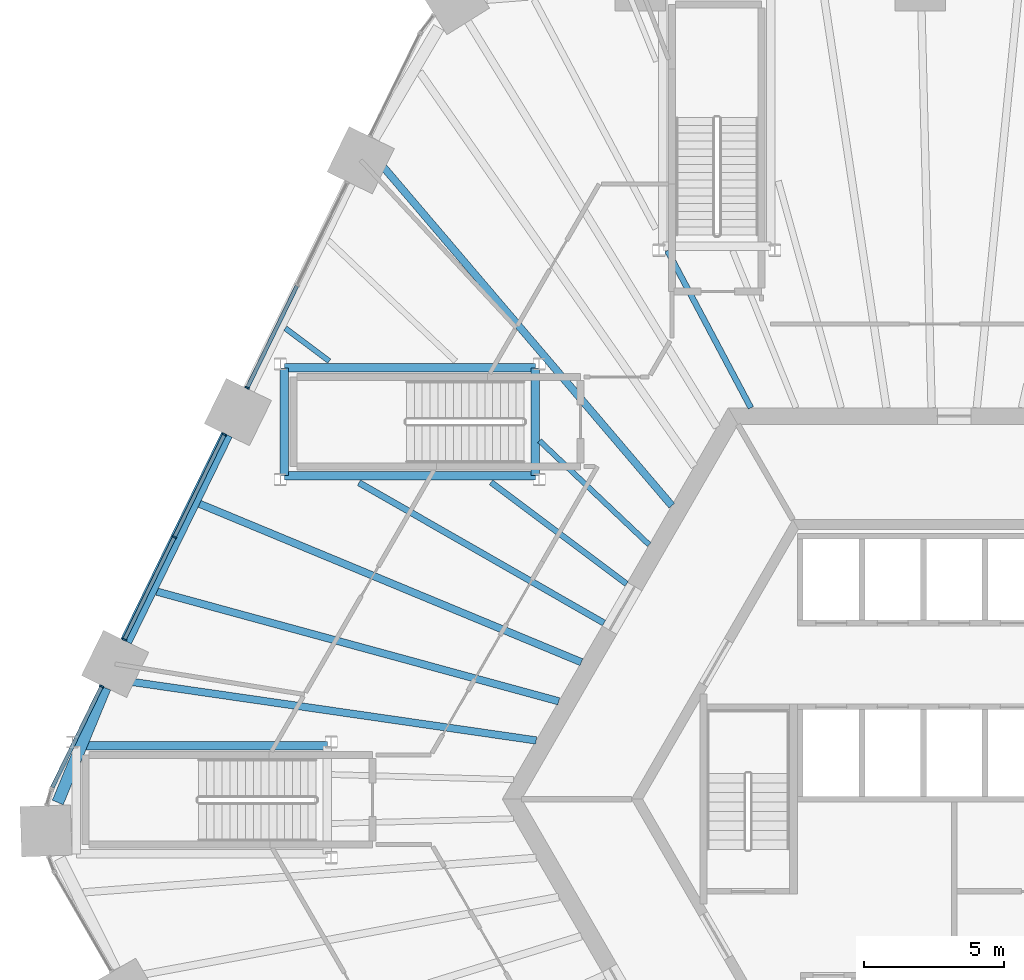
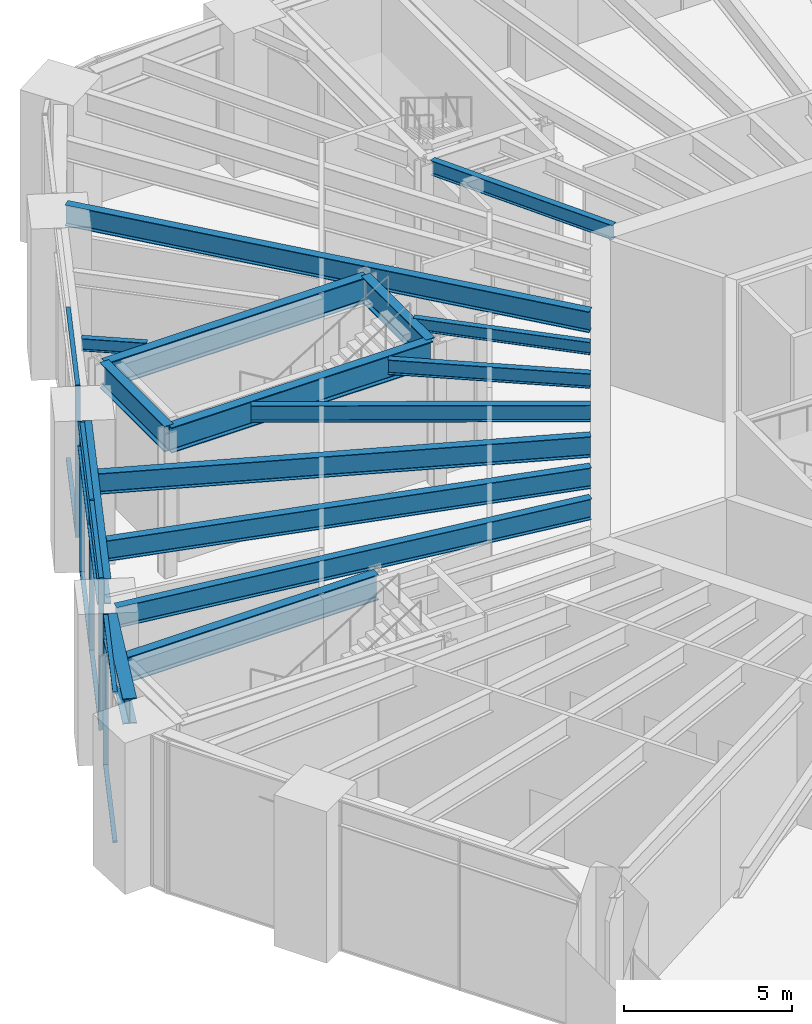
# One storey, part 7 of 30: 16 beams, 13 members, 3 elements without a shape of their own.
"""IFC4 building model written with IfcOpenShell, lengths in metres."""

from ifc_helpers import new_model, si_unit, direction, frame, origin, origin_2d, place, context, subcontext, project, spatial, rectangle, i_section, extrude, material, material_profile, profile_set, type_object, element, aggregate, save


model = new_model("IFC4")

# Units and contexts
model_context = context("Model", 3, precision=1e-05, world=origin(), true_north=direction((0.0, 1.0)))
body_context = subcontext(model_context, "Body", "Model", "MODEL_VIEW")
ifc_project = project(units=[si_unit("LENGTHUNIT", "METRE"), si_unit("AREAUNIT", "SQUARE_METRE"), si_unit("VOLUMEUNIT", "CUBIC_METRE"), si_unit("PLANEANGLEUNIT", "RADIAN"), si_unit("MASSUNIT", "GRAM", prefix="KILO")], contexts=[model_context])

# Site, building, storey
site_placement = place(None, origin())
site = spatial("IfcSite", under=ifc_project, at=site_placement, CompositionType="ELEMENT")
building_placement = place(site_placement, origin())
building = spatial("IfcBuilding", under=site, at=building_placement, Name="Tarnside Tower", CompositionType="ELEMENT")
storey_placement = place(building_placement, frame((0.0, 0.0, 20.5)))
storey = spatial("IfcBuildingStorey", under=building, at=storey_placement, Name="L03", CompositionType="ELEMENT", Elevation=20.5)

# Beams
ifc_material_1 = material(Name="Steel S355", Category="steel")
ifc_material_profile_1 = material_profile(ifc_material_1, i_section(OverallWidth=0.18994140625, OverallDepth=0.453369140625, WebThickness=0.008544921875, FlangeThickness=0.0126953125, FilletRadius=0.01025390625, at=origin_2d()), Name="UB 457x191x67")
ifc_profile_set_1 = profile_set([ifc_material_profile_1], Name="Steel S355")
beam_type_1 = type_object("IfcBeamType", Name="Floor beam UB 457x191x67", PredefinedType="BEAM", material=ifc_profile_set_1)
beam_1_placement = place(storey_placement, frame((-14.832275390625, 12.8173828125, 5.023193359375), z_axis=(0.725655749818, -0.688057942877, 0.0), x_axis=(0.688057942877, 0.725655749818, 0.0)))
element("IfcBeam", 1, at=beam_1_placement, inside=storey, type_object=beam_type_1, Name="Floor beam F2.03b", PredefinedType="BEAM", context=body_context, shape_type="SweptSolid", body=[
    extrude(i_section(OverallWidth=0.18994140625, OverallDepth=0.453369140625, WebThickness=0.008544921875, FlangeThickness=0.0126953125, FilletRadius=0.01025390625, at=origin_2d()), origin(), (0.0, 0.0, 1.0), 5.402587890625),
])
beam_2_placement = place(storey_placement, frame((-23.927001953125, 16.844970703125, 5.023193359375), z_axis=(0.80026824962, -0.599642167171, 0.0), x_axis=(0.599642167171, 0.80026824962, 0.0)))
element("IfcBeam", 2, at=beam_2_placement, inside=storey, type_object=beam_type_1, Name="Floor beam F2.04a", PredefinedType="BEAM", context=body_context, shape_type="SweptSolid", body=[
    extrude(i_section(OverallWidth=0.18994140625, OverallDepth=0.453369140625, WebThickness=0.008544921875, FlangeThickness=0.0126953125, FilletRadius=0.01025390625, at=origin_2d()), origin(), (0.0, 0.0, 1.0), 1.96533203125),
])
ifc_material_profile_2 = material_profile(ifc_material_1, i_section(OverallWidth=0.209228515625, OverallDepth=0.533203125, WebThickness=0.010009765625, FlangeThickness=0.015625, FilletRadius=0.0126953125, at=origin_2d()), Name="UB 533x210x92")
ifc_profile_set_2 = profile_set([ifc_material_profile_2], Name="Steel S355")
beam_type_2 = type_object("IfcBeamType", Name="Floor beam UB 533x210x92", PredefinedType="BEAM", material=ifc_profile_set_2)
beam_3_placement = place(storey_placement, frame((-10.26171875, 19.622314453125, 4.9833984375), z_axis=(0.469180459704, -0.88310231357, 0.0), x_axis=(0.88310231357, 0.469180459704, 0.0)))
element("IfcBeam", 3, at=beam_3_placement, inside=storey, type_object=beam_type_2, Name="Floor beam F1.09b", PredefinedType="BEAM", context=body_context, shape_type="SweptSolid", body=[
    extrude(i_section(OverallWidth=0.209228515625, OverallDepth=0.533203125, WebThickness=0.010009765625, FlangeThickness=0.015625, FilletRadius=0.0126953125, at=origin_2d()), origin(), (0.0, 0.0, 1.0), 6.366455078125),
])
beam_4_placement = place(storey_placement, frame((-16.570068359375, 11.33349609375, 4.9833984375), z_axis=(0.800304467872, -0.599593828107, 0.0), x_axis=(0.599593828107, 0.800304467872, 0.0)))
element("IfcBeam", 4, at=beam_4_placement, inside=storey, type_object=beam_type_2, Name="Floor beam F2.04b", PredefinedType="BEAM", context=body_context, shape_type="SweptSolid", body=[
    extrude(i_section(OverallWidth=0.209228515625, OverallDepth=0.533203125, WebThickness=0.010009765625, FlangeThickness=0.015625, FilletRadius=0.0126953125, at=origin_2d()), origin(), (0.0, 0.0, 1.0), 6.06005859375),
])
ifc_material_profile_3 = material_profile(ifc_material_1, i_section(OverallWidth=0.228271484375, OverallDepth=0.607666015625, WebThickness=0.010986328125, FlangeThickness=0.017333984375, FilletRadius=0.0126953125, at=origin_2d()), Name="UB 610x229x113")
ifc_profile_set_3 = profile_set([ifc_material_profile_3], Name="Steel S355")
beam_type_3 = type_object("IfcBeamType", Name="Floor beam UB 610x229x113", PredefinedType="BEAM", material=ifc_profile_set_3)
beam_5_placement = place(storey_placement, frame((-21.293212890625, 11.31787109375, 4.9462890625), z_axis=(0.867839710753, -0.496844277858, 0.0), x_axis=(0.496844277858, 0.867839710753, 0.0)))
element("IfcBeam", 5, at=beam_5_placement, inside=storey, type_object=beam_type_3, Name="Floor beam F2.05b", PredefinedType="BEAM", context=body_context, shape_type="SweptSolid", body=[
    extrude(i_section(OverallWidth=0.228271484375, OverallDepth=0.607666015625, WebThickness=0.010986328125, FlangeThickness=0.017333984375, FilletRadius=0.0126953125, at=origin_2d()), origin(), (0.0, 0.0, 1.0), 10.099365234375),
])
ifc_material_profile_4 = material_profile(ifc_material_1, i_section(OverallWidth=0.26513671875, OverallDepth=0.75390625, WebThickness=0.0126953125, FlangeThickness=0.017578125, FilletRadius=0.0166015625, at=origin_2d()), Name="UB 762x267x147")
ifc_profile_set_4 = profile_set([ifc_material_profile_4], Name="Steel S355")
beam_type_4 = type_object("IfcBeamType", Name="Floor beam UB 762x267x147", PredefinedType="BEAM", material=ifc_profile_set_4)
beam_6_placement = place(storey_placement, frame((-26.990966796875, 10.56298828125, 4.873046875), z_axis=(0.92370262903, -0.383110236254, 0.0), x_axis=(0.383110236254, 0.92370262903, 0.0)))
element("IfcBeam", 6, at=beam_6_placement, inside=storey, type_object=beam_type_4, Name="Floor beam F2.06", PredefinedType="BEAM", context=body_context, shape_type="SweptSolid", body=[
    extrude(i_section(OverallWidth=0.26513671875, OverallDepth=0.75390625, WebThickness=0.0126953125, FlangeThickness=0.017578125, FilletRadius=0.0166015625, at=origin_2d()), origin(), (0.0, 0.0, 1.0), 14.781982421875),
])
beam_7_placement = place(storey_placement, frame((-28.52197265625, 7.424072265625, 4.873046875), z_axis=(0.964711253144, -0.263310079673, 0.0), x_axis=(0.263310079673, 0.964711253144, 0.0)))
element("IfcBeam", 7, at=beam_7_placement, inside=storey, type_object=beam_type_4, Name="Floor beam F2.07", PredefinedType="BEAM", context=body_context, shape_type="SweptSolid", body=[
    extrude(i_section(OverallWidth=0.26513671875, OverallDepth=0.75390625, WebThickness=0.0126953125, FlangeThickness=0.017578125, FilletRadius=0.0166015625, at=origin_2d()), origin(), (0.0, 0.0, 1.0), 14.90283203125),
])
beam_8_placement = place(storey_placement, frame((-30.019775390625, 4.28173828125, 4.873046875), z_axis=(0.98967827479, -0.143307056383, 0.0), x_axis=(0.143307056383, 0.98967827479, 0.0)))
element("IfcBeam", 8, at=beam_8_placement, inside=storey, type_object=beam_type_4, Name="Floor beam F2.08", PredefinedType="BEAM", context=body_context, shape_type="SweptSolid", body=[
    extrude(i_section(OverallWidth=0.26513671875, OverallDepth=0.75390625, WebThickness=0.0126953125, FlangeThickness=0.017578125, FilletRadius=0.0166015625, at=origin_2d()), origin(), (0.0, 0.0, 1.0), 15.2236328125),
])
ifc_material_profile_5 = material_profile(ifc_material_1, i_section(OverallWidth=0.2666015625, OverallDepth=0.76220703125, WebThickness=0.014404296875, FlangeThickness=0.021484375, FilletRadius=0.0166015625, at=origin_2d()), Name="UB 762x267x173")
ifc_profile_set_5 = profile_set([ifc_material_profile_5], Name="Steel S355")
beam_type_5 = type_object("IfcBeamType", Name="Floor beam UB 762x267x173", PredefinedType="BEAM", material=ifc_profile_set_5)
beam_9_placement = place(storey_placement, frame((-20.838134765625, 23.10595703125, 4.868896484375), z_axis=(0.648333844013, -0.761356175983, 0.0), x_axis=(0.761356175983, 0.648333844013, 0.0)))
element("IfcBeam", 9, at=beam_9_placement, inside=storey, type_object=beam_type_5, Name="Floor beam F2.02", PredefinedType="BEAM", context=body_context, shape_type="SweptSolid", body=[
    extrude(i_section(OverallWidth=0.2666015625, OverallDepth=0.76220703125, WebThickness=0.014404296875, FlangeThickness=0.021484375, FilletRadius=0.0166015625, at=origin_2d()), origin(), (0.0, 0.0, 1.0), 16.55712890625),
])
ifc_material_profile_6 = material_profile(ifc_material_1, i_section(OverallWidth=0.3076171875, OverallDepth=0.926513671875, WebThickness=0.01953125, FlangeThickness=0.031982421875, FilletRadius=0.01904296875, at=origin_2d()), Name="UB 914x305x289")
ifc_profile_set_6 = profile_set([ifc_material_profile_6], Name="Steel S355")
beam_type_6 = type_object("IfcBeamType", Name="Perimeter girder UB 914x305x289", PredefinedType="BEAM", material=ifc_profile_set_6)
beam_10_placement = place(storey_placement, frame((-31.40380859375, 1.90380859375, 4.78662109375), z_axis=(1.0, 0.0, 0.0), x_axis=(0.0, 1.0, 0.0)))
element("IfcBeam", 10, at=beam_10_placement, inside=storey, type_object=beam_type_6, Name="Perimeter girder T6", PredefinedType="BEAM", context=body_context, shape_type="SweptSolid", body=[
    extrude(i_section(OverallWidth=0.3076171875, OverallDepth=0.926513671875, WebThickness=0.01953125, FlangeThickness=0.031982421875, FilletRadius=0.01904296875, at=origin_2d()), origin(), (0.0, 0.0, 1.0), 8.977783203125),
])
beam_11_placement = place(storey_placement, frame((-23.9638671875, 11.5712890625, 4.78662109375), z_axis=(0.0, 1.0, 0.0), x_axis=(-1.0, 0.0, 0.0)))
element("IfcBeam", 11, at=beam_11_placement, inside=storey, type_object=beam_type_6, Name="Perimeter girder T21", PredefinedType="BEAM", context=body_context, shape_type="SweptSolid", body=[
    extrude(i_section(OverallWidth=0.3076171875, OverallDepth=0.926513671875, WebThickness=0.01953125, FlangeThickness=0.031982421875, FilletRadius=0.01904296875, at=origin_2d()), origin(), (0.0, 0.0, 1.0), 3.857421875),
])
beam_12_placement = place(storey_placement, frame((-23.9638671875, 15.4287109375, 4.78662109375), z_axis=(1.0, 0.0, 0.0), x_axis=(0.0, 1.0, 0.0)))
element("IfcBeam", 12, at=beam_12_placement, inside=storey, type_object=beam_type_6, Name="Perimeter girder T22", PredefinedType="BEAM", context=body_context, shape_type="SweptSolid", body=[
    extrude(i_section(OverallWidth=0.3076171875, OverallDepth=0.926513671875, WebThickness=0.01953125, FlangeThickness=0.031982421875, FilletRadius=0.01904296875, at=origin_2d()), origin(), (0.0, 0.0, 1.0), 8.977783203125),
])
beam_13_placement = place(storey_placement, frame((-14.986083984375, 15.4287109375, 4.78662109375), z_axis=(0.0, -1.0, 0.0), x_axis=(1.0, 0.0, 0.0)))
element("IfcBeam", 13, at=beam_13_placement, inside=storey, type_object=beam_type_6, Name="Perimeter girder T23", PredefinedType="BEAM", context=body_context, shape_type="SweptSolid", body=[
    extrude(i_section(OverallWidth=0.3076171875, OverallDepth=0.926513671875, WebThickness=0.01953125, FlangeThickness=0.031982421875, FilletRadius=0.01904296875, at=origin_2d()), origin(), (0.0, 0.0, 1.0), 3.857421875),
])
beam_14_placement = place(storey_placement, frame((-14.986083984375, 11.5712890625, 4.78662109375), z_axis=(-1.0, 0.0, 0.0), x_axis=(0.0, -1.0, 0.0)))
element("IfcBeam", 14, at=beam_14_placement, inside=storey, type_object=beam_type_6, Name="Perimeter girder T24", PredefinedType="BEAM", context=body_context, shape_type="SweptSolid", body=[
    extrude(i_section(OverallWidth=0.3076171875, OverallDepth=0.926513671875, WebThickness=0.01953125, FlangeThickness=0.031982421875, FilletRadius=0.01904296875, at=origin_2d()), origin(), (0.0, 0.0, 1.0), 8.977783203125),
])
ifc_material_2 = material(Name="Steel S460", Category="steel")
ifc_material_profile_7 = material_profile(ifc_material_2, i_section(OverallWidth=0.42041015625, OverallDepth=0.9208984375, WebThickness=0.021484375, FlangeThickness=0.03662109375, FilletRadius=0.024169921875, at=origin_2d()), Name="UB 914x419x388")
ifc_profile_set_7 = profile_set([ifc_material_profile_7], Name="Steel S460")
beam_type_7 = type_object("IfcBeamType", Name="Perimeter girder UB 914x419x388", PredefinedType="BEAM", material=ifc_profile_set_7)
beam_15_placement = place(storey_placement, frame((-26.0185546875, 13.0361328125, 4.78955078125), z_axis=(-0.438368649743, -0.898795264186, 0.0), x_axis=(0.898795264186, -0.438368649743, 0.0)))
element("IfcBeam", 15, at=beam_15_placement, inside=storey, type_object=beam_type_7, Name="Perimeter girder M06", PredefinedType="BEAM", context=body_context, shape_type="SweptSolid", body=[
    extrude(i_section(OverallWidth=0.42041015625, OverallDepth=0.9208984375, WebThickness=0.021484375, FlangeThickness=0.03662109375, FilletRadius=0.024169921875, at=origin_2d()), origin(), (0.0, 0.0, 1.0), 8.2236328125),
])
beam_16_placement = place(storey_placement, frame((-30.36962890625, 3.985595703125, 4.78955078125), z_axis=(-0.381974575495, -0.924172832145, 0.0), x_axis=(0.924172832145, -0.381974575495, 0.0)))
element("IfcBeam", 16, at=beam_16_placement, inside=storey, type_object=beam_type_7, Name="Perimeter girder M07", PredefinedType="BEAM", context=body_context, shape_type="SweptSolid", body=[
    extrude(i_section(OverallWidth=0.42041015625, OverallDepth=0.9208984375, WebThickness=0.021484375, FlangeThickness=0.03662109375, FilletRadius=0.024169921875, at=origin_2d()), origin(), (0.0, 0.0, 1.0), 4.440185546875),
])

# Curtain wall, member
ifc_material_3 = material(Name="Retail shopfront glazing wall", Category="glass")
curtain_wall_type = type_object("IfcCurtainWallType", Name="Retail shopfront glazing wall", PredefinedType="NOTDEFINED", material=ifc_material_3)
curtain_wall_1_placement = place(storey_placement, origin())
curtain_wall_1 = element("IfcCurtainWall", 17, at=curtain_wall_1_placement, inside=storey, type_object=curtain_wall_type, Name="Retail shopfront glazing L03 04.0", PredefinedType="NOTDEFINED")
ifc_material_4 = material(Name="Aluminium alloy 6063", Category="aluminium")
ifc_material_profile_8 = material_profile(ifc_material_4, rectangle(XDim=0.159912109375, YDim=0.06005859375, at=origin_2d()), Name="Retail shopfront glazing mullion 60 x 160")
ifc_profile_set_8 = profile_set([ifc_material_profile_8], Name="Aluminium alloy 6063")
member_type_1 = type_object("IfcMemberType", Name="Retail shopfront glazing mullion 60 x 160", PredefinedType="MULLION", material=ifc_profile_set_8)
member_1_placement = place(storey_placement, frame((-25.288330078125, 14.716064453125, -0.25), z_axis=(0.0, 0.0, 1.0), x_axis=(0.898794046292, -0.438371146805, 0.0)))
member_1 = element("IfcMember", 18, at=member_1_placement, type_object=member_type_1, Name="CW2 mullion 3", PredefinedType="MULLION", context=body_context, shape_type="SweptSolid", body=[
    extrude(rectangle(XDim=0.159912109375, YDim=0.06005859375, at=origin_2d()), origin(), (0.0, 0.0, 1.0), 5.5),
])

# Curtain wall, members
curtain_wall_2_placement = place(storey_placement, origin())
curtain_wall_2 = element("IfcCurtainWall", 19, at=curtain_wall_2_placement, inside=storey, type_object=curtain_wall_type, Name="Retail shopfront glazing L03 05.0", PredefinedType="NOTDEFINED")
member_2_placement = place(storey_placement, frame((-26.103515625, 13.044189453125, -0.25), z_axis=(0.0, 0.0, 1.0), x_axis=(0.898794046292, -0.438371146805, 0.0)))
member_2 = element("IfcMember", 20, at=member_2_placement, type_object=member_type_1, Name="CW2 mullion 1", PredefinedType="MULLION", context=body_context, shape_type="SweptSolid", body=[
    extrude(rectangle(XDim=0.159912109375, YDim=0.06005859375, at=origin_2d()), origin(), (0.0, 0.0, 1.0), 5.5),
])
member_3_placement = place(storey_placement, frame((-27.89306640625, 9.37548828125, -0.25), z_axis=(0.0, 0.0, 1.0), x_axis=(0.898794046292, -0.438371146805, 0.0)))
member_3 = element("IfcMember", 21, at=member_3_placement, type_object=member_type_1, Name="CW2 mullion 2", PredefinedType="MULLION", context=body_context, shape_type="SweptSolid", body=[
    extrude(rectangle(XDim=0.159912109375, YDim=0.06005859375, at=origin_2d()), origin(), (0.0, 0.0, 1.0), 5.5),
])
member_4_placement = place(storey_placement, frame((-29.682373046875, 5.706787109375, -0.25), z_axis=(0.0, 0.0, 1.0), x_axis=(0.898794046292, -0.438371146805, 0.0)))
member_4 = element("IfcMember", 22, at=member_4_placement, type_object=member_type_1, Name="CW2 mullion 3", PredefinedType="MULLION", context=body_context, shape_type="SweptSolid", body=[
    extrude(rectangle(XDim=0.159912109375, YDim=0.06005859375, at=origin_2d()), origin(), (0.0, 0.0, 1.0), 5.5),
])

# Curtain wall, member
curtain_wall_3_placement = place(storey_placement, origin())
curtain_wall_3 = element("IfcCurtainWall", 23, at=curtain_wall_3_placement, inside=storey, type_object=curtain_wall_type, Name="Retail shopfront glazing L03 06.0", PredefinedType="NOTDEFINED")
member_5_placement = place(storey_placement, frame((-30.497802734375, 4.03515625, -0.25), z_axis=(0.0, 0.0, 1.0), x_axis=(0.898794046314, -0.438371146758, 0.0)))
member_5 = element("IfcMember", 24, at=member_5_placement, type_object=member_type_1, Name="CW2 mullion 1", PredefinedType="MULLION", context=body_context, shape_type="SweptSolid", body=[
    extrude(rectangle(XDim=0.159912109375, YDim=0.06005859375, at=origin_2d()), origin(), (0.0, 0.0, 1.0), 5.5),
])

# Member
ifc_material_profile_9 = material_profile(ifc_material_4, rectangle(XDim=0.139892578125, YDim=0.06005859375, at=origin_2d()), Name="Retail shopfront glazing transom 60 x 140")
ifc_profile_set_9 = profile_set([ifc_material_profile_9], Name="Aluminium alloy 6063")
member_type_2 = type_object("IfcMemberType", Name="Retail shopfront glazing transom 60 x 140", PredefinedType="USERDEFINED", material=ifc_profile_set_9)
member_6_placement = place(storey_placement, frame((-23.511962890625, 18.35791015625, -0.219970703125), z_axis=(-0.438378186386, -0.898790612824, 0.0), x_axis=(0.898790612824, -0.438378186386, 0.0)))
member_6 = element("IfcMember", 25, at=member_6_placement, type_object=member_type_2, Name="CW2 transom 2.1", ObjectType="TRANSOM", PredefinedType="USERDEFINED", context=body_context, shape_type="SweptSolid", body=[
    extrude(rectangle(XDim=0.139892578125, YDim=0.06005859375, at=origin_2d()), origin(), (0.0, 0.0, 1.0), 4.02197265625),
])

member_7_placement = place(storey_placement, frame((-23.511962890625, 18.35791015625, 5.219970703125), z_axis=(-0.438378186386, -0.898790612824, 0.0), x_axis=(0.898790612824, -0.438378186386, 0.0)))
member_7 = element("IfcMember", 26, at=member_7_placement, type_object=member_type_2, Name="CW2 transom 2.2", ObjectType="TRANSOM", PredefinedType="USERDEFINED", context=body_context, shape_type="SweptSolid", body=[
    extrude(rectangle(XDim=0.139892578125, YDim=0.06005859375, at=origin_2d()), origin(), (0.0, 0.0, 1.0), 4.02197265625),
])

aggregate(curtain_wall_1, [member_1, member_6, member_7])

member_8_placement = place(storey_placement, frame((-26.11669921875, 13.017333984375, -0.219970703125), z_axis=(-0.438402104107, -0.898778946747, 0.0), x_axis=(0.898778946747, -0.438402104107, 0.0)))
member_8 = element("IfcMember", 27, at=member_8_placement, type_object=member_type_2, Name="CW2 transom 1.1", ObjectType="TRANSOM", PredefinedType="USERDEFINED", context=body_context, shape_type="SweptSolid", body=[
    extrude(rectangle(XDim=0.139892578125, YDim=0.06005859375, at=origin_2d()), origin(), (0.0, 0.0, 1.0), 4.021728515625),
])

member_9_placement = place(storey_placement, frame((-26.11669921875, 13.017333984375, 5.219970703125), z_axis=(-0.438402104107, -0.898778946747, 0.0), x_axis=(0.898778946747, -0.438402104107, 0.0)))
member_9 = element("IfcMember", 28, at=member_9_placement, type_object=member_type_2, Name="CW2 transom 1.2", ObjectType="TRANSOM", PredefinedType="USERDEFINED", context=body_context, shape_type="SweptSolid", body=[
    extrude(rectangle(XDim=0.139892578125, YDim=0.06005859375, at=origin_2d()), origin(), (0.0, 0.0, 1.0), 4.021728515625),
])

member_10_placement = place(storey_placement, frame((-27.906005859375, 9.3486328125, -0.219970703125), z_axis=(-0.438402104107, -0.898778946747, 0.0), x_axis=(0.898778946747, -0.438402104107, 0.0)))
member_10 = element("IfcMember", 29, at=member_10_placement, type_object=member_type_2, Name="CW2 transom 2.1", ObjectType="TRANSOM", PredefinedType="USERDEFINED", context=body_context, shape_type="SweptSolid", body=[
    extrude(rectangle(XDim=0.139892578125, YDim=0.06005859375, at=origin_2d()), origin(), (0.0, 0.0, 1.0), 4.021728515625),
])

member_11_placement = place(storey_placement, frame((-27.906005859375, 9.3486328125, 5.219970703125), z_axis=(-0.438402104107, -0.898778946747, 0.0), x_axis=(0.898778946747, -0.438402104107, 0.0)))
member_11 = element("IfcMember", 30, at=member_11_placement, type_object=member_type_2, Name="CW2 transom 2.2", ObjectType="TRANSOM", PredefinedType="USERDEFINED", context=body_context, shape_type="SweptSolid", body=[
    extrude(rectangle(XDim=0.139892578125, YDim=0.06005859375, at=origin_2d()), origin(), (0.0, 0.0, 1.0), 4.021728515625),
])

aggregate(curtain_wall_2, [member_2, member_3, member_4, member_8, member_9, member_10, member_11])

member_12_placement = place(storey_placement, frame((-30.5107421875, 4.008056640625, -0.219970703125), z_axis=(-0.438385073172, -0.898787253815, 0.0), x_axis=(0.898787253815, -0.438385073172, 0.0)))
member_12 = element("IfcMember", 31, at=member_12_placement, type_object=member_type_2, Name="CW2 transom 1.1", ObjectType="TRANSOM", PredefinedType="USERDEFINED", context=body_context, shape_type="SweptSolid", body=[
    extrude(rectangle(XDim=0.139892578125, YDim=0.06005859375, at=origin_2d()), origin(), (0.0, 0.0, 1.0), 3.991943359375),
])

member_13_placement = place(storey_placement, frame((-30.5107421875, 4.008056640625, 5.219970703125), z_axis=(-0.438385073172, -0.898787253815, 0.0), x_axis=(0.898787253815, -0.438385073172, 0.0)))
member_13 = element("IfcMember", 32, at=member_13_placement, type_object=member_type_2, Name="CW2 transom 1.2", ObjectType="TRANSOM", PredefinedType="USERDEFINED", context=body_context, shape_type="SweptSolid", body=[
    extrude(rectangle(XDim=0.139892578125, YDim=0.06005859375, at=origin_2d()), origin(), (0.0, 0.0, 1.0), 3.991943359375),
])

aggregate(curtain_wall_3, [member_5, member_12, member_13])

save(model, "model.ifc")
